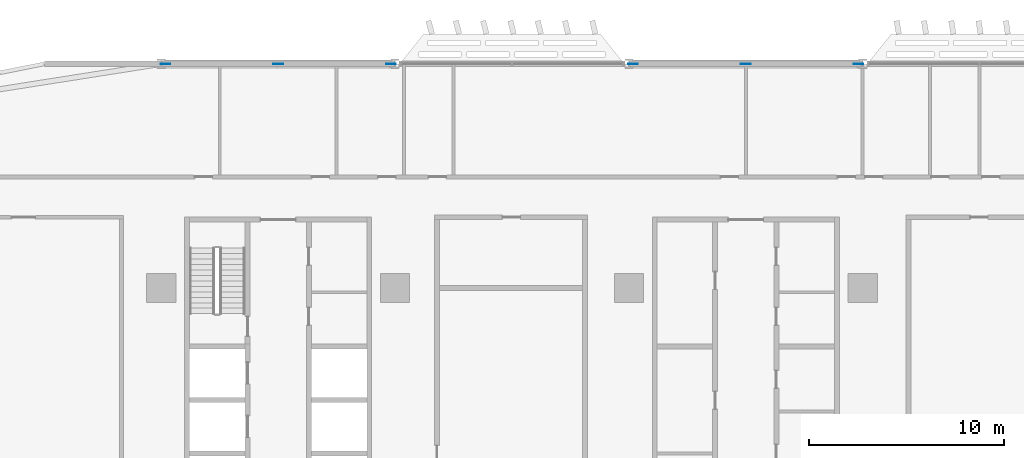
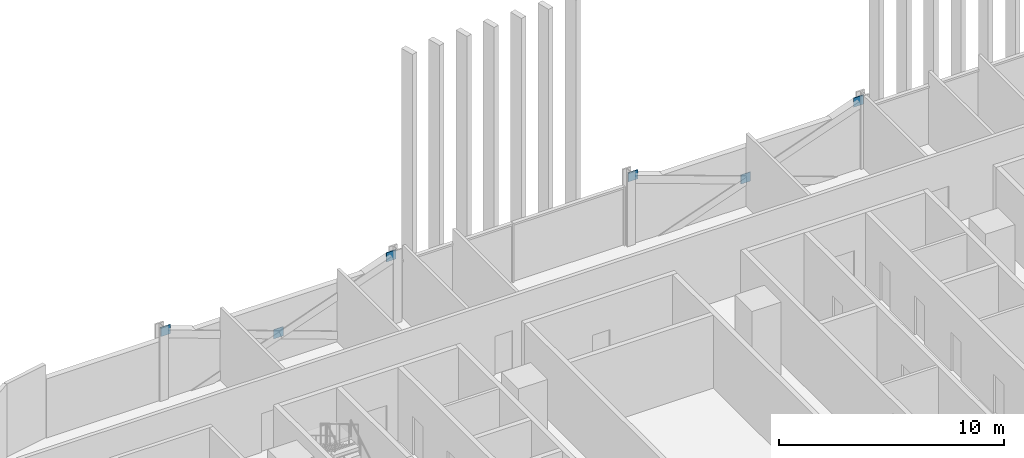
# One storey, part 21 of 29: 6 discrete accessories.
"""IFC4 building model written with IfcOpenShell, lengths in metres."""

from ifc_helpers import new_model, si_unit, direction, frame, origin, origin_2d, place, context, subcontext, project, spatial, rectangle, extrude, material, layer, layer_set, type_object, element, save


model = new_model("IFC4")

# Units and contexts
model_context = context("Model", 3, precision=1e-05, world=origin(), true_north=direction((0.0, 1.0)))
body_context = subcontext(model_context, "Body", "Model", "MODEL_VIEW")
ifc_project = project(units=[si_unit("LENGTHUNIT", "METRE"), si_unit("AREAUNIT", "SQUARE_METRE"), si_unit("VOLUMEUNIT", "CUBIC_METRE"), si_unit("PLANEANGLEUNIT", "RADIAN"), si_unit("MASSUNIT", "GRAM", prefix="KILO")], contexts=[model_context])

# Site, building, storey
site_placement = place(None, origin())
site = spatial("IfcSite", under=ifc_project, at=site_placement, CompositionType="ELEMENT")
building_placement = place(site_placement, origin())
building = spatial("IfcBuilding", under=site, at=building_placement, Name="Mahtab Terrace Research Tower", CompositionType="ELEMENT")
storey_placement = place(building_placement, frame((0.0, 0.0, 63.199951171875)))
storey = spatial("IfcBuildingStorey", under=building, at=storey_placement, Name="L14", CompositionType="ELEMENT", Elevation=63.199951171875)

# Discrete accessories
ifc_material = material(Name="Steel ASTM A992 Gr 50", Category="steel")
ifc_layer = layer(ifc_material, 0.030029296875)
ifc_layer_set = layer_set([ifc_layer], Name="Gusset plate 500x500x30")
discrete_accessory_type = type_object("IfcDiscreteAccessoryType", Name="Gusset plate 500x500x30", PredefinedType="USERDEFINED", material=ifc_layer_set)
for number, where, z_axis, x_axis, name in (
    (1, (-29.787841796875, 23.0, 3.33154296875), (0.0, 0.0, 1.0), (1.0, 0.0, 0.0), "Gusset plate"),
    (2, (-24.0, 23.0, 1.181640625), (0.0, 0.0, 1.0), (1.0, 0.0, 0.0), "Gusset plate"),
    (3, (-18.212158203125, 23.0, 3.33154296875), (0.0, 0.0, 1.0), (1.0, 0.0, 0.0), "Gusset plate"),
    (4, (-5.787841796875, 23.0, 3.33154296875), (0.0, 0.0, 1.0), (1.0, 0.0, 0.0), "Gusset plate"),
    (5, (0.0, 23.0, 1.181640625), (0.0, 0.0, 1.0), (1.0, 0.0, 0.0), "Gusset plate"),
    (6, (5.787841796875, 23.0, 3.33154296875), (0.0, 0.0, 1.0), (1.0, 0.0, 0.0), "Gusset plate"),
):
    element("IfcDiscreteAccessory", number, at=place(storey_placement, frame(where, z_axis=z_axis, x_axis=x_axis)), inside=storey, type_object=discrete_accessory_type, Name=name, ObjectType="GUSSET PLATE", PredefinedType="USERDEFINED", context=body_context, shape_type="SweptSolid", body=[
        extrude(rectangle(XDim=0.5, YDim=0.030029296875, at=origin_2d()), origin(), (0.0, 0.0, 1.0), 0.5),
    ])

save(model, "model.ifc")
